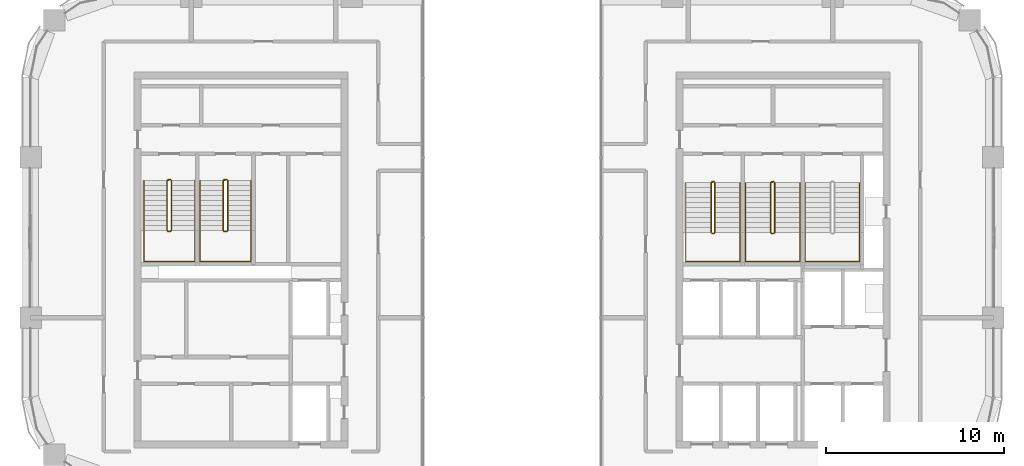
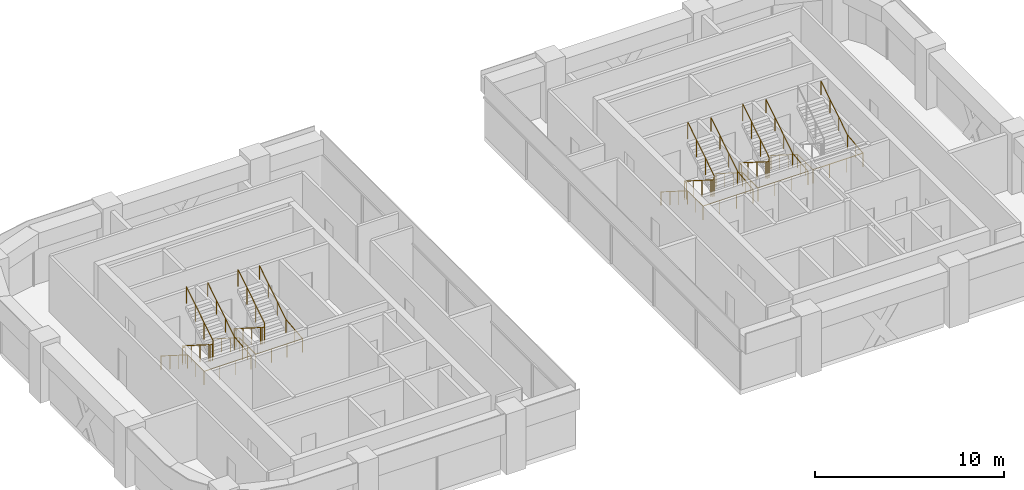
# One storey, part 15 of 16: 9 railings.
"""IFC4 building model written with IfcOpenShell, lengths in metres."""

from ifc_helpers import new_model, si_unit, direction, frame, origin, origin_2d, place, context, subcontext, project, spatial, circle, extrude, material, type_object, element, save


model = new_model("IFC4")

# Units and contexts
model_context = context("Model", 3, precision=1e-05, world=origin(), true_north=direction((0.0, 1.0)))
body_context = subcontext(model_context, "Body", "Model", "MODEL_VIEW")
ifc_project = project(units=[si_unit("LENGTHUNIT", "METRE"), si_unit("AREAUNIT", "SQUARE_METRE"), si_unit("VOLUMEUNIT", "CUBIC_METRE"), si_unit("PLANEANGLEUNIT", "RADIAN"), si_unit("MASSUNIT", "GRAM", prefix="KILO")], contexts=[model_context])

# Site, building, storey
site_placement = place(None, origin())
site = spatial("IfcSite", under=ifc_project, at=site_placement, CompositionType="ELEMENT")
building_placement = place(site_placement, origin())
building = spatial("IfcBuilding", under=site, at=building_placement, Name="Tessera Arch", CompositionType="ELEMENT")
storey_placement = place(building_placement, frame((0.0, 0.0, 218.89990234375)))
storey = spatial("IfcBuildingStorey", under=building, at=storey_placement, Name="L52", CompositionType="ELEMENT", Elevation=218.89990234375)

# Railings
ifc_material_1 = material(Name="Painted steel balustrade", Category="steel")
railing_type_1 = type_object("IfcRailingType", Name="Stair guard 1100", PredefinedType="GUARDRAIL", material=ifc_material_1)
railing_1_placement = place(storey_placement, frame((38.219970703125, 43.6298828125, 0.0)))
element("IfcRailing", 1, at=railing_1_placement, inside=storey, type_object=railing_type_1, Name="L52 S1a stair guard 1", PredefinedType="GUARDRAIL", context=body_context, shape_type="SweptSolid", body=[
    extrude(circle(Radius=0.02392578125, at=origin_2d()), frame((-0.00390625, 0.0, 1.076171875), z_axis=(1.0, 0.0, 0.0), x_axis=(0.0, 1.0, 0.0)), (0.0, 0.0, 1.0), 0.1181640625),
    extrude(circle(Radius=0.02392578125, at=origin_2d()), frame((0.11279296875, 0.000732421875, 1.0732421875), z_axis=(-0.655842288892, -0.203950955692, 0.72682521955), x_axis=(0.296948579431, -0.954893471113, 0.0)), (0.0, 0.0, 1.0), 0.252197265625),
    extrude(circle(Radius=0.02392578125, at=origin_2d()), frame((-0.050048828125, -0.04638671875, 1.25146484375), z_axis=(0.0, -0.844908973607, 0.534910110503), x_axis=(1.0, 0.0, 0.0)), (0.0, 0.0, 1.0), 3.322021484375),
    extrude(circle(Radius=0.02392578125, at=origin_2d()), frame((-0.052978515625, -2.846923828125, 3.0263671875), z_axis=(0.707106781187, -0.707106781187, 0.0), x_axis=(0.707106781187, 0.707106781187, 0.0)), (0.0, 0.0, 1.0), 0.078857421875),
    extrude(circle(Radius=0.02392578125, at=origin_2d()), frame((-0.00390625, -2.89990234375, 3.0263671875), z_axis=(1.0, 0.0, 0.0), x_axis=(0.0, 1.0, 0.0)), (0.0, 0.0, 1.0), 0.1181640625),
    extrude(circle(Radius=0.02392578125, at=origin_2d()), frame((0.109130859375, -2.90087890625, 3.0224609375), z_axis=(0.261041864531, 0.262321481514, 0.929001929653), x_axis=(-0.708833529934, 0.705375805398, 0.0)), (0.0, 0.0, 1.0), 0.19873046875),
    extrude(circle(Radius=0.02392578125, at=origin_2d()), frame((0.159912109375, -2.853271484375, 3.201416015625), z_axis=(0.0, 0.844908973607, 0.534910110503), x_axis=(-1.0, 0.0, 0.0)), (0.0, 0.0, 1.0), 3.322021484375),
    extrude(circle(Radius=0.02099609375, at=origin_2d()), origin(), (0.0, 0.0, 1.0), 1.06396484375),
    extrude(circle(Radius=0.02099609375, at=origin_2d()), frame((0.110107421875, 0.0, 0.0)), (0.0, 0.0, 1.0), 1.06396484375),
    extrude(circle(Radius=0.02099609375, at=origin_2d()), frame((-0.050048828125, -0.0498046875, 0.177490234375)), (0.0, 0.0, 1.0), 1.06396484375),
    extrude(circle(Radius=0.02099609375, at=origin_2d()), frame((-0.050048828125, -0.983154296875, 0.768310546875)), (0.0, 0.0, 1.0), 1.06396484375),
    extrude(circle(Radius=0.02099609375, at=origin_2d()), frame((-0.050048828125, -1.91650390625, 1.359375)), (0.0, 0.0, 1.0), 1.06396484375),
    extrude(circle(Radius=0.02099609375, at=origin_2d()), frame((-0.050048828125, -2.849853515625, 1.9501953125)), (0.0, 0.0, 1.0), 1.06396484375),
    extrude(circle(Radius=0.02099609375, at=origin_2d()), frame((0.0, -2.89990234375, 1.9501953125)), (0.0, 0.0, 1.0), 1.06396484375),
    extrude(circle(Radius=0.02099609375, at=origin_2d()), frame((0.110107421875, -2.89990234375, 1.9501953125)), (0.0, 0.0, 1.0), 1.06396484375),
    extrude(circle(Radius=0.02099609375, at=origin_2d()), frame((0.159912109375, -2.849853515625, 2.12744140625)), (0.0, 0.0, 1.0), 1.06396484375),
    extrude(circle(Radius=0.02099609375, at=origin_2d()), frame((0.159912109375, -1.91650390625, 2.71826171875)), (0.0, 0.0, 1.0), 1.06396484375),
    extrude(circle(Radius=0.02099609375, at=origin_2d()), frame((0.159912109375, -0.983154296875, 3.309326171875)), (0.0, 0.0, 1.0), 1.06396484375),
    extrude(circle(Radius=0.02099609375, at=origin_2d()), frame((0.159912109375, -0.0498046875, 3.900146484375)), (0.0, 0.0, 1.0), 1.06396484375),
])
railing_2_placement = place(storey_placement, frame((41.570068359375, 43.6298828125, 0.0)))
element("IfcRailing", 2, at=railing_2_placement, inside=storey, type_object=railing_type_1, Name="L52 S1b stair guard 1", PredefinedType="GUARDRAIL", context=body_context, shape_type="SweptSolid", body=[
    extrude(circle(Radius=0.02392578125, at=origin_2d()), frame((-0.00390625, 0.0, 1.076171875), z_axis=(1.0, 0.0, 0.0), x_axis=(0.0, 1.0, 0.0)), (0.0, 0.0, 1.0), 0.117919921875),
    extrude(circle(Radius=0.02392578125, at=origin_2d()), frame((0.112548828125, 0.000732421875, 1.0732421875), z_axis=(-0.655271994328, -0.204084712737, 0.727301892941), x_axis=(0.297361876254, -0.954764847777, 0.0)), (0.0, 0.0, 1.0), 0.251953125),
    extrude(circle(Radius=0.02392578125, at=origin_2d()), frame((-0.050048828125, -0.04638671875, 1.25146484375), z_axis=(0.0, -0.844908973607, 0.534910110503), x_axis=(1.0, 0.0, 0.0)), (0.0, 0.0, 1.0), 3.322021484375),
    extrude(circle(Radius=0.02392578125, at=origin_2d()), frame((-0.052978515625, -2.846923828125, 3.0263671875), z_axis=(0.707106781187, -0.707106781187, 0.0), x_axis=(0.707106781187, 0.707106781187, 0.0)), (0.0, 0.0, 1.0), 0.078857421875),
    extrude(circle(Radius=0.02392578125, at=origin_2d()), frame((-0.00390625, -2.89990234375, 3.0263671875), z_axis=(1.0, 0.0, 0.0), x_axis=(0.0, 1.0, 0.0)), (0.0, 0.0, 1.0), 0.117919921875),
    extrude(circle(Radius=0.02392578125, at=origin_2d()), frame((0.10888671875, -2.90087890625, 3.0224609375), z_axis=(0.262233686654, 0.262233686654, 0.928691007369), x_axis=(-0.707106781187, 0.707106781187, 0.0)), (0.0, 0.0, 1.0), 0.198974609375),
    extrude(circle(Radius=0.02392578125, at=origin_2d()), frame((0.159912109375, -2.853271484375, 3.201416015625), z_axis=(0.0, 0.844908973607, 0.534910110503), x_axis=(-1.0, 0.0, 0.0)), (0.0, 0.0, 1.0), 3.322021484375),
    extrude(circle(Radius=0.02099609375, at=origin_2d()), origin(), (0.0, 0.0, 1.0), 1.06396484375),
    extrude(circle(Radius=0.02099609375, at=origin_2d()), frame((0.10986328125, 0.0, 0.0)), (0.0, 0.0, 1.0), 1.06396484375),
    extrude(circle(Radius=0.02099609375, at=origin_2d()), frame((-0.050048828125, -0.0498046875, 0.177490234375)), (0.0, 0.0, 1.0), 1.06396484375),
    extrude(circle(Radius=0.02099609375, at=origin_2d()), frame((-0.050048828125, -0.983154296875, 0.768310546875)), (0.0, 0.0, 1.0), 1.06396484375),
    extrude(circle(Radius=0.02099609375, at=origin_2d()), frame((-0.050048828125, -1.91650390625, 1.359375)), (0.0, 0.0, 1.0), 1.06396484375),
    extrude(circle(Radius=0.02099609375, at=origin_2d()), frame((-0.050048828125, -2.849853515625, 1.9501953125)), (0.0, 0.0, 1.0), 1.06396484375),
    extrude(circle(Radius=0.02099609375, at=origin_2d()), frame((0.0, -2.89990234375, 1.9501953125)), (0.0, 0.0, 1.0), 1.06396484375),
    extrude(circle(Radius=0.02099609375, at=origin_2d()), frame((0.10986328125, -2.89990234375, 1.9501953125)), (0.0, 0.0, 1.0), 1.06396484375),
    extrude(circle(Radius=0.02099609375, at=origin_2d()), frame((0.159912109375, -2.849853515625, 2.12744140625)), (0.0, 0.0, 1.0), 1.06396484375),
    extrude(circle(Radius=0.02099609375, at=origin_2d()), frame((0.159912109375, -1.91650390625, 2.71826171875)), (0.0, 0.0, 1.0), 1.06396484375),
    extrude(circle(Radius=0.02099609375, at=origin_2d()), frame((0.159912109375, -0.983154296875, 3.309326171875)), (0.0, 0.0, 1.0), 1.06396484375),
    extrude(circle(Radius=0.02099609375, at=origin_2d()), frame((0.159912109375, -0.0498046875, 3.900146484375)), (0.0, 0.0, 1.0), 1.06396484375),
])
railing_3_placement = place(storey_placement, frame((7.699951171875, 43.75, 0.0)))
element("IfcRailing", 3, at=railing_3_placement, inside=storey, type_object=railing_type_1, Name="L52 S2a stair guard 1", PredefinedType="GUARDRAIL", context=body_context, shape_type="SweptSolid", body=[
    extrude(circle(Radius=0.02392578125, at=origin_2d()), frame((-0.00390625, 0.0, 1.076171875), z_axis=(1.0, 0.0, 0.0), x_axis=(0.0, 1.0, 0.0)), (0.0, 0.0, 1.0), 0.158203125),
    extrude(circle(Radius=0.02392578125, at=origin_2d()), frame((0.153076171875, 0.000732421875, 1.073486328125), z_axis=(-0.735506176693, -0.183876544173, 0.652089012751), x_axis=(0.242535625036, -0.970142500145, 0.0)), (0.0, 0.0, 1.0), 0.2802734375),
    extrude(circle(Radius=0.02392578125, at=origin_2d()), frame((-0.050048828125, -0.046630859375, 1.25146484375), z_axis=(0.0, -0.844908973607, 0.534910110503), x_axis=(1.0, 0.0, 0.0)), (0.0, 0.0, 1.0), 3.322021484375),
    extrude(circle(Radius=0.02392578125, at=origin_2d()), frame((-0.052978515625, -2.84716796875, 3.0263671875), z_axis=(0.708833529934, -0.705375805398, 0.0), x_axis=(0.705375805398, 0.708833529934, 0.0)), (0.0, 0.0, 1.0), 0.07861328125),
    extrude(circle(Radius=0.02392578125, at=origin_2d()), frame((-0.00390625, -2.89990234375, 3.0263671875), z_axis=(1.0, 0.0, 0.0), x_axis=(0.0, 1.0, 0.0)), (0.0, 0.0, 1.0), 0.158203125),
    extrude(circle(Radius=0.02392578125, at=origin_2d()), frame((0.149169921875, -2.90087890625, 3.0224609375), z_axis=(0.261129318932, 0.261129318932, 0.929313164433), x_axis=(-0.707106781187, 0.707106781187, 0.0)), (0.0, 0.0, 1.0), 0.19873046875),
    extrude(circle(Radius=0.02392578125, at=origin_2d()), frame((0.199951171875, -2.853515625, 3.201416015625), z_axis=(0.0, 0.844908973607, 0.534910110503), x_axis=(-1.0, 0.0, 0.0)), (0.0, 0.0, 1.0), 3.322021484375),
    extrude(circle(Radius=0.02099609375, at=origin_2d()), origin(), (0.0, 0.0, 1.0), 1.06396484375),
    extrude(circle(Radius=0.02099609375, at=origin_2d()), frame((0.150146484375, 0.0, 0.0)), (0.0, 0.0, 1.0), 1.06396484375),
    extrude(circle(Radius=0.02099609375, at=origin_2d()), frame((-0.050048828125, -0.050048828125, 0.177490234375)), (0.0, 0.0, 1.0), 1.06396484375),
    extrude(circle(Radius=0.02099609375, at=origin_2d()), frame((-0.050048828125, -0.9833984375, 0.768310546875)), (0.0, 0.0, 1.0), 1.06396484375),
    extrude(circle(Radius=0.02099609375, at=origin_2d()), frame((-0.050048828125, -1.916748046875, 1.359375)), (0.0, 0.0, 1.0), 1.06396484375),
    extrude(circle(Radius=0.02099609375, at=origin_2d()), frame((-0.050048828125, -2.85009765625, 1.9501953125)), (0.0, 0.0, 1.0), 1.06396484375),
    extrude(circle(Radius=0.02099609375, at=origin_2d()), frame((0.0, -2.89990234375, 1.9501953125)), (0.0, 0.0, 1.0), 1.06396484375),
    extrude(circle(Radius=0.02099609375, at=origin_2d()), frame((0.150146484375, -2.89990234375, 1.9501953125)), (0.0, 0.0, 1.0), 1.06396484375),
    extrude(circle(Radius=0.02099609375, at=origin_2d()), frame((0.199951171875, -2.85009765625, 2.12744140625)), (0.0, 0.0, 1.0), 1.06396484375),
    extrude(circle(Radius=0.02099609375, at=origin_2d()), frame((0.199951171875, -1.916748046875, 2.71826171875)), (0.0, 0.0, 1.0), 1.06396484375),
    extrude(circle(Radius=0.02099609375, at=origin_2d()), frame((0.199951171875, -0.9833984375, 3.309326171875)), (0.0, 0.0, 1.0), 1.06396484375),
    extrude(circle(Radius=0.02099609375, at=origin_2d()), frame((0.199951171875, -0.050048828125, 3.900146484375)), (0.0, 0.0, 1.0), 1.06396484375),
])
railing_4_placement = place(storey_placement, frame((10.85009765625, 43.75, 0.0)))
element("IfcRailing", 4, at=railing_4_placement, inside=storey, type_object=railing_type_1, Name="L52 S2b stair guard 1", PredefinedType="GUARDRAIL", context=body_context, shape_type="SweptSolid", body=[
    extrude(circle(Radius=0.02392578125, at=origin_2d()), frame((-0.00390625, 0.0, 1.076171875), z_axis=(1.0, 0.0, 0.0), x_axis=(0.0, 1.0, 0.0)), (0.0, 0.0, 1.0), 0.157958984375),
    extrude(circle(Radius=0.02392578125, at=origin_2d()), frame((0.15283203125, 0.000732421875, 1.073486328125), z_axis=(-0.735094037398, -0.183997897029, 0.652519371414), x_axis=(0.242814311512, -0.970072785993, 0.0)), (0.0, 0.0, 1.0), 0.280029296875),
    extrude(circle(Radius=0.02392578125, at=origin_2d()), frame((-0.050048828125, -0.046630859375, 1.25146484375), z_axis=(0.0, -0.844908973607, 0.534910110503), x_axis=(1.0, 0.0, 0.0)), (0.0, 0.0, 1.0), 3.322021484375),
    extrude(circle(Radius=0.02392578125, at=origin_2d()), frame((-0.052978515625, -2.84716796875, 3.0263671875), z_axis=(0.708833529934, -0.705375805398, 0.0), x_axis=(0.705375805398, 0.708833529934, 0.0)), (0.0, 0.0, 1.0), 0.07861328125),
    extrude(circle(Radius=0.02392578125, at=origin_2d()), frame((-0.00390625, -2.89990234375, 3.0263671875), z_axis=(1.0, 0.0, 0.0), x_axis=(0.0, 1.0, 0.0)), (0.0, 0.0, 1.0), 0.157958984375),
    extrude(circle(Radius=0.02392578125, at=origin_2d()), frame((0.14892578125, -2.90087890625, 3.0224609375), z_axis=(0.262321481514, 0.261041864531, 0.929001929653), x_axis=(-0.705375805398, 0.708833529934, 0.0)), (0.0, 0.0, 1.0), 0.19873046875),
    extrude(circle(Radius=0.02392578125, at=origin_2d()), frame((0.199951171875, -2.853515625, 3.201416015625), z_axis=(0.0, 0.844908973607, 0.534910110503), x_axis=(-1.0, 0.0, 0.0)), (0.0, 0.0, 1.0), 3.322021484375),
    extrude(circle(Radius=0.02099609375, at=origin_2d()), origin(), (0.0, 0.0, 1.0), 1.06396484375),
    extrude(circle(Radius=0.02099609375, at=origin_2d()), frame((0.14990234375, 0.0, 0.0)), (0.0, 0.0, 1.0), 1.06396484375),
    extrude(circle(Radius=0.02099609375, at=origin_2d()), frame((-0.050048828125, -0.050048828125, 0.177490234375)), (0.0, 0.0, 1.0), 1.06396484375),
    extrude(circle(Radius=0.02099609375, at=origin_2d()), frame((-0.050048828125, -0.9833984375, 0.768310546875)), (0.0, 0.0, 1.0), 1.06396484375),
    extrude(circle(Radius=0.02099609375, at=origin_2d()), frame((-0.050048828125, -1.916748046875, 1.359375)), (0.0, 0.0, 1.0), 1.06396484375),
    extrude(circle(Radius=0.02099609375, at=origin_2d()), frame((-0.050048828125, -2.85009765625, 1.9501953125)), (0.0, 0.0, 1.0), 1.06396484375),
    extrude(circle(Radius=0.02099609375, at=origin_2d()), frame((0.0, -2.89990234375, 1.9501953125)), (0.0, 0.0, 1.0), 1.06396484375),
    extrude(circle(Radius=0.02099609375, at=origin_2d()), frame((0.14990234375, -2.89990234375, 1.9501953125)), (0.0, 0.0, 1.0), 1.06396484375),
    extrude(circle(Radius=0.02099609375, at=origin_2d()), frame((0.199951171875, -2.85009765625, 2.12744140625)), (0.0, 0.0, 1.0), 1.06396484375),
    extrude(circle(Radius=0.02099609375, at=origin_2d()), frame((0.199951171875, -1.916748046875, 2.71826171875)), (0.0, 0.0, 1.0), 1.06396484375),
    extrude(circle(Radius=0.02099609375, at=origin_2d()), frame((0.199951171875, -0.9833984375, 3.309326171875)), (0.0, 0.0, 1.0), 1.06396484375),
    extrude(circle(Radius=0.02099609375, at=origin_2d()), frame((0.199951171875, -0.050048828125, 3.900146484375)), (0.0, 0.0, 1.0), 1.06396484375),
])
ifc_material_2 = material(Name="Painted steel handrail", Category="steel")
railing_type_2 = type_object("IfcRailingType", Name="Stair handrail 900", PredefinedType="HANDRAIL", material=ifc_material_2)
railing_5_placement = place(storey_placement, frame((36.75, 43.580078125, 0.177490234375)))
element("IfcRailing", 5, at=railing_5_placement, inside=storey, type_object=railing_type_2, Name="L52 S1a stair handrail", PredefinedType="HANDRAIL", context=body_context, shape_type="SweptSolid", body=[
    extrude(circle(Radius=0.02392578125, at=origin_2d()), frame((0.0, 0.00341796875, 0.873779296875), z_axis=(0.0, -0.844908973607, 0.534910110503), x_axis=(1.0, 0.0, 0.0)), (0.0, 0.0, 1.0), 3.322021484375),
    extrude(circle(Radius=0.02392578125, at=origin_2d()), frame((0.0, -2.796142578125, 2.6484375), z_axis=(0.0, -1.0, 0.0), x_axis=(1.0, 0.0, 0.0)), (0.0, 0.0, 1.0), 1.63818359375),
    extrude(circle(Radius=0.02392578125, at=origin_2d()), frame((-0.00390625, -4.43017578125, 2.6484375), z_axis=(1.0, 0.0, 0.0), x_axis=(0.0, 1.0, 0.0)), (0.0, 0.0, 1.0), 3.05810546875),
    extrude(circle(Radius=0.02392578125, at=origin_2d()), frame((3.050048828125, -4.43408203125, 2.648193359375), z_axis=(0.0, 0.994140637614, 0.108094369164), x_axis=(-1.0, 0.0, 0.0)), (0.0, 0.0, 1.0), 1.647705078125),
    extrude(circle(Radius=0.02392578125, at=origin_2d()), frame((3.050048828125, -2.803466796875, 2.82373046875), z_axis=(0.0, 0.844908973607, 0.534910110503), x_axis=(-1.0, 0.0, 0.0)), (0.0, 0.0, 1.0), 3.322021484375),
    extrude(circle(Radius=0.02099609375, at=origin_2d()), origin(), (0.0, 0.0, 1.0), 0.86376953125),
    extrude(circle(Radius=0.02099609375, at=origin_2d()), frame((0.0, -0.933349609375, 0.5908203125)), (0.0, 0.0, 1.0), 0.86376953125),
    extrude(circle(Radius=0.02099609375, at=origin_2d()), frame((0.0, -1.86669921875, 1.181884765625)), (0.0, 0.0, 1.0), 0.86376953125),
    extrude(circle(Radius=0.02099609375, at=origin_2d()), frame((0.0, -2.800048828125, 1.772705078125)), (0.0, 0.0, 1.0), 0.86376953125),
    extrude(circle(Radius=0.02099609375, at=origin_2d()), frame((0.0, -3.615234375, 1.772705078125)), (0.0, 0.0, 1.0), 0.86376953125),
    extrude(circle(Radius=0.02099609375, at=origin_2d()), frame((0.0, -4.43017578125, 1.772705078125)), (0.0, 0.0, 1.0), 0.86376953125),
    extrude(circle(Radius=0.02099609375, at=origin_2d()), frame((1.0166015625, -4.43017578125, 1.772705078125)), (0.0, 0.0, 1.0), 0.86376953125),
    extrude(circle(Radius=0.02099609375, at=origin_2d()), frame((2.033447265625, -4.43017578125, 1.772705078125)), (0.0, 0.0, 1.0), 0.86376953125),
    extrude(circle(Radius=0.02099609375, at=origin_2d()), frame((3.050048828125, -4.43017578125, 1.772705078125)), (0.0, 0.0, 1.0), 0.86376953125),
    extrude(circle(Radius=0.02099609375, at=origin_2d()), frame((3.050048828125, -3.615234375, 1.861328125)), (0.0, 0.0, 1.0), 0.86376953125),
    extrude(circle(Radius=0.02099609375, at=origin_2d()), frame((3.050048828125, -2.800048828125, 1.949951171875)), (0.0, 0.0, 1.0), 0.86376953125),
    extrude(circle(Radius=0.02099609375, at=origin_2d()), frame((3.050048828125, -1.86669921875, 2.540771484375)), (0.0, 0.0, 1.0), 0.86376953125),
    extrude(circle(Radius=0.02099609375, at=origin_2d()), frame((3.050048828125, -0.933349609375, 3.1318359375)), (0.0, 0.0, 1.0), 0.86376953125),
    extrude(circle(Radius=0.02099609375, at=origin_2d()), frame((3.050048828125, 0.0, 3.72265625)), (0.0, 0.0, 1.0), 0.86376953125),
])
railing_6_placement = place(storey_placement, frame((40.10009765625, 43.580078125, 0.177490234375)))
element("IfcRailing", 6, at=railing_6_placement, inside=storey, type_object=railing_type_2, Name="L52 S1b stair handrail", PredefinedType="HANDRAIL", context=body_context, shape_type="SweptSolid", body=[
    extrude(circle(Radius=0.02392578125, at=origin_2d()), frame((0.0, 0.00341796875, 0.873779296875), z_axis=(0.0, -0.844908973607, 0.534910110503), x_axis=(1.0, 0.0, 0.0)), (0.0, 0.0, 1.0), 3.322021484375),
    extrude(circle(Radius=0.02392578125, at=origin_2d()), frame((0.0, -2.796142578125, 2.6484375), z_axis=(0.0, -1.0, 0.0), x_axis=(1.0, 0.0, 0.0)), (0.0, 0.0, 1.0), 1.63818359375),
    extrude(circle(Radius=0.02392578125, at=origin_2d()), frame((-0.00390625, -4.43017578125, 2.6484375), z_axis=(1.0, 0.0, 0.0), x_axis=(0.0, 1.0, 0.0)), (0.0, 0.0, 1.0), 3.057861328125),
    extrude(circle(Radius=0.02392578125, at=origin_2d()), frame((3.0498046875, -4.43408203125, 2.648193359375), z_axis=(0.0, 0.994140637614, 0.108094369164), x_axis=(-1.0, 0.0, 0.0)), (0.0, 0.0, 1.0), 1.647705078125),
    extrude(circle(Radius=0.02392578125, at=origin_2d()), frame((3.0498046875, -2.803466796875, 2.82373046875), z_axis=(0.0, 0.844908973607, 0.534910110503), x_axis=(-1.0, 0.0, 0.0)), (0.0, 0.0, 1.0), 3.322021484375),
    extrude(circle(Radius=0.02099609375, at=origin_2d()), origin(), (0.0, 0.0, 1.0), 0.86376953125),
    extrude(circle(Radius=0.02099609375, at=origin_2d()), frame((0.0, -0.933349609375, 0.5908203125)), (0.0, 0.0, 1.0), 0.86376953125),
    extrude(circle(Radius=0.02099609375, at=origin_2d()), frame((0.0, -1.86669921875, 1.181884765625)), (0.0, 0.0, 1.0), 0.86376953125),
    extrude(circle(Radius=0.02099609375, at=origin_2d()), frame((0.0, -2.800048828125, 1.772705078125)), (0.0, 0.0, 1.0), 0.86376953125),
    extrude(circle(Radius=0.02099609375, at=origin_2d()), frame((0.0, -3.615234375, 1.772705078125)), (0.0, 0.0, 1.0), 0.86376953125),
    extrude(circle(Radius=0.02099609375, at=origin_2d()), frame((0.0, -4.43017578125, 1.772705078125)), (0.0, 0.0, 1.0), 0.86376953125),
    extrude(circle(Radius=0.02099609375, at=origin_2d()), frame((1.0166015625, -4.43017578125, 1.772705078125)), (0.0, 0.0, 1.0), 0.86376953125),
    extrude(circle(Radius=0.02099609375, at=origin_2d()), frame((2.033203125, -4.43017578125, 1.772705078125)), (0.0, 0.0, 1.0), 0.86376953125),
    extrude(circle(Radius=0.02099609375, at=origin_2d()), frame((3.0498046875, -4.43017578125, 1.772705078125)), (0.0, 0.0, 1.0), 0.86376953125),
    extrude(circle(Radius=0.02099609375, at=origin_2d()), frame((3.0498046875, -3.615234375, 1.861328125)), (0.0, 0.0, 1.0), 0.86376953125),
    extrude(circle(Radius=0.02099609375, at=origin_2d()), frame((3.0498046875, -2.800048828125, 1.949951171875)), (0.0, 0.0, 1.0), 0.86376953125),
    extrude(circle(Radius=0.02099609375, at=origin_2d()), frame((3.0498046875, -1.86669921875, 2.540771484375)), (0.0, 0.0, 1.0), 0.86376953125),
    extrude(circle(Radius=0.02099609375, at=origin_2d()), frame((3.0498046875, -0.933349609375, 3.1318359375)), (0.0, 0.0, 1.0), 0.86376953125),
    extrude(circle(Radius=0.02099609375, at=origin_2d()), frame((3.0498046875, 0.0, 3.72265625)), (0.0, 0.0, 1.0), 0.86376953125),
])
railing_7_placement = place(storey_placement, frame((43.449951171875, 43.580078125, 0.177490234375)))
element("IfcRailing", 7, at=railing_7_placement, inside=storey, type_object=railing_type_2, Name="L52 S1c stair handrail", PredefinedType="HANDRAIL", context=body_context, shape_type="SweptSolid", body=[
    extrude(circle(Radius=0.02392578125, at=origin_2d()), frame((0.0, 0.00341796875, 0.873779296875), z_axis=(0.0, -0.844908973607, 0.534910110503), x_axis=(1.0, 0.0, 0.0)), (0.0, 0.0, 1.0), 3.322021484375),
    extrude(circle(Radius=0.02392578125, at=origin_2d()), frame((0.0, -2.796142578125, 2.6484375), z_axis=(0.0, -1.0, 0.0), x_axis=(1.0, 0.0, 0.0)), (0.0, 0.0, 1.0), 1.63818359375),
    extrude(circle(Radius=0.02392578125, at=origin_2d()), frame((-0.00390625, -4.43017578125, 2.6484375), z_axis=(1.0, 0.0, 0.0), x_axis=(0.0, 1.0, 0.0)), (0.0, 0.0, 1.0), 3.05810546875),
    extrude(circle(Radius=0.02392578125, at=origin_2d()), frame((3.050048828125, -4.43408203125, 2.648193359375), z_axis=(0.0, 0.994140637614, 0.108094369164), x_axis=(-1.0, 0.0, 0.0)), (0.0, 0.0, 1.0), 1.647705078125),
    extrude(circle(Radius=0.02392578125, at=origin_2d()), frame((3.050048828125, -2.803466796875, 2.82373046875), z_axis=(0.0, 0.844908973607, 0.534910110503), x_axis=(-1.0, 0.0, 0.0)), (0.0, 0.0, 1.0), 3.322021484375),
    extrude(circle(Radius=0.02099609375, at=origin_2d()), origin(), (0.0, 0.0, 1.0), 0.86376953125),
    extrude(circle(Radius=0.02099609375, at=origin_2d()), frame((0.0, -0.933349609375, 0.5908203125)), (0.0, 0.0, 1.0), 0.86376953125),
    extrude(circle(Radius=0.02099609375, at=origin_2d()), frame((0.0, -1.86669921875, 1.181884765625)), (0.0, 0.0, 1.0), 0.86376953125),
    extrude(circle(Radius=0.02099609375, at=origin_2d()), frame((0.0, -2.800048828125, 1.772705078125)), (0.0, 0.0, 1.0), 0.86376953125),
    extrude(circle(Radius=0.02099609375, at=origin_2d()), frame((0.0, -3.615234375, 1.772705078125)), (0.0, 0.0, 1.0), 0.86376953125),
    extrude(circle(Radius=0.02099609375, at=origin_2d()), frame((0.0, -4.43017578125, 1.772705078125)), (0.0, 0.0, 1.0), 0.86376953125),
    extrude(circle(Radius=0.02099609375, at=origin_2d()), frame((1.0166015625, -4.43017578125, 1.772705078125)), (0.0, 0.0, 1.0), 0.86376953125),
    extrude(circle(Radius=0.02099609375, at=origin_2d()), frame((2.033447265625, -4.43017578125, 1.772705078125)), (0.0, 0.0, 1.0), 0.86376953125),
    extrude(circle(Radius=0.02099609375, at=origin_2d()), frame((3.050048828125, -4.43017578125, 1.772705078125)), (0.0, 0.0, 1.0), 0.86376953125),
    extrude(circle(Radius=0.02099609375, at=origin_2d()), frame((3.050048828125, -3.615234375, 1.861328125)), (0.0, 0.0, 1.0), 0.86376953125),
    extrude(circle(Radius=0.02099609375, at=origin_2d()), frame((3.050048828125, -2.800048828125, 1.949951171875)), (0.0, 0.0, 1.0), 0.86376953125),
    extrude(circle(Radius=0.02099609375, at=origin_2d()), frame((3.050048828125, -1.86669921875, 2.540771484375)), (0.0, 0.0, 1.0), 0.86376953125),
    extrude(circle(Radius=0.02099609375, at=origin_2d()), frame((3.050048828125, -0.933349609375, 3.1318359375)), (0.0, 0.0, 1.0), 0.86376953125),
    extrude(circle(Radius=0.02099609375, at=origin_2d()), frame((3.050048828125, 0.0, 3.72265625)), (0.0, 0.0, 1.0), 0.86376953125),
])
railing_8_placement = place(storey_placement, frame((6.35009765625, 43.699951171875, 0.177490234375)))
element("IfcRailing", 8, at=railing_8_placement, inside=storey, type_object=railing_type_2, Name="L52 S2a stair handrail", PredefinedType="HANDRAIL", context=body_context, shape_type="SweptSolid", body=[
    extrude(circle(Radius=0.02392578125, at=origin_2d()), frame((0.0, 0.00341796875, 0.873779296875), z_axis=(0.0, -0.844908973607, 0.534910110503), x_axis=(1.0, 0.0, 0.0)), (0.0, 0.0, 1.0), 3.322021484375),
    extrude(circle(Radius=0.02392578125, at=origin_2d()), frame((0.0, -2.796142578125, 2.6484375), z_axis=(0.0, -1.0, 0.0), x_axis=(1.0, 0.0, 0.0)), (0.0, 0.0, 1.0), 1.758056640625),
    extrude(circle(Radius=0.02392578125, at=origin_2d()), frame((-0.00390625, -4.550048828125, 2.6484375), z_axis=(1.0, 0.0, 0.0), x_axis=(0.0, 1.0, 0.0)), (0.0, 0.0, 1.0), 2.85791015625),
    extrude(circle(Radius=0.02392578125, at=origin_2d()), frame((2.849853515625, -4.553955078125, 2.648193359375), z_axis=(0.0, 0.994909956378, 0.100767944801), x_axis=(-1.0, 0.0, 0.0)), (0.0, 0.0, 1.0), 1.766845703125),
    extrude(circle(Radius=0.02392578125, at=origin_2d()), frame((2.849853515625, -2.803466796875, 2.82373046875), z_axis=(0.0, 0.844908973607, 0.534910110503), x_axis=(-1.0, 0.0, 0.0)), (0.0, 0.0, 1.0), 3.322021484375),
    extrude(circle(Radius=0.02099609375, at=origin_2d()), origin(), (0.0, 0.0, 1.0), 0.86376953125),
    extrude(circle(Radius=0.02099609375, at=origin_2d()), frame((0.0, -0.933349609375, 0.5908203125)), (0.0, 0.0, 1.0), 0.86376953125),
    extrude(circle(Radius=0.02099609375, at=origin_2d()), frame((0.0, -1.86669921875, 1.181884765625)), (0.0, 0.0, 1.0), 0.86376953125),
    extrude(circle(Radius=0.02099609375, at=origin_2d()), frame((0.0, -2.800048828125, 1.772705078125)), (0.0, 0.0, 1.0), 0.86376953125),
    extrude(circle(Radius=0.02099609375, at=origin_2d()), frame((0.0, -3.675048828125, 1.772705078125)), (0.0, 0.0, 1.0), 0.86376953125),
    extrude(circle(Radius=0.02099609375, at=origin_2d()), frame((0.0, -4.550048828125, 1.772705078125)), (0.0, 0.0, 1.0), 0.86376953125),
    extrude(circle(Radius=0.02099609375, at=origin_2d()), frame((0.949951171875, -4.550048828125, 1.772705078125)), (0.0, 0.0, 1.0), 0.86376953125),
    extrude(circle(Radius=0.02099609375, at=origin_2d()), frame((1.89990234375, -4.550048828125, 1.772705078125)), (0.0, 0.0, 1.0), 0.86376953125),
    extrude(circle(Radius=0.02099609375, at=origin_2d()), frame((2.849853515625, -4.550048828125, 1.772705078125)), (0.0, 0.0, 1.0), 0.86376953125),
    extrude(circle(Radius=0.02099609375, at=origin_2d()), frame((2.849853515625, -3.675048828125, 1.861328125)), (0.0, 0.0, 1.0), 0.86376953125),
    extrude(circle(Radius=0.02099609375, at=origin_2d()), frame((2.849853515625, -2.800048828125, 1.949951171875)), (0.0, 0.0, 1.0), 0.86376953125),
    extrude(circle(Radius=0.02099609375, at=origin_2d()), frame((2.849853515625, -1.86669921875, 2.540771484375)), (0.0, 0.0, 1.0), 0.86376953125),
    extrude(circle(Radius=0.02099609375, at=origin_2d()), frame((2.849853515625, -0.933349609375, 3.1318359375)), (0.0, 0.0, 1.0), 0.86376953125),
    extrude(circle(Radius=0.02099609375, at=origin_2d()), frame((2.849853515625, 0.0, 3.72265625)), (0.0, 0.0, 1.0), 0.86376953125),
])
railing_9_placement = place(storey_placement, frame((9.5, 43.699951171875, 0.177490234375)))
element("IfcRailing", 9, at=railing_9_placement, inside=storey, type_object=railing_type_2, Name="L52 S2b stair handrail", PredefinedType="HANDRAIL", context=body_context, shape_type="SweptSolid", body=[
    extrude(circle(Radius=0.02392578125, at=origin_2d()), frame((0.0, 0.00341796875, 0.873779296875), z_axis=(0.0, -0.844908973607, 0.534910110503), x_axis=(1.0, 0.0, 0.0)), (0.0, 0.0, 1.0), 3.322021484375),
    extrude(circle(Radius=0.02392578125, at=origin_2d()), frame((0.0, -2.796142578125, 2.6484375), z_axis=(0.0, -1.0, 0.0), x_axis=(1.0, 0.0, 0.0)), (0.0, 0.0, 1.0), 1.758056640625),
    extrude(circle(Radius=0.02392578125, at=origin_2d()), frame((-0.00390625, -4.550048828125, 2.6484375), z_axis=(1.0, 0.0, 0.0), x_axis=(0.0, 1.0, 0.0)), (0.0, 0.0, 1.0), 2.858154296875),
    extrude(circle(Radius=0.02392578125, at=origin_2d()), frame((2.85009765625, -4.553955078125, 2.648193359375), z_axis=(0.0, 0.994909956378, 0.100767944801), x_axis=(-1.0, 0.0, 0.0)), (0.0, 0.0, 1.0), 1.766845703125),
    extrude(circle(Radius=0.02392578125, at=origin_2d()), frame((2.85009765625, -2.803466796875, 2.82373046875), z_axis=(0.0, 0.844908973607, 0.534910110503), x_axis=(-1.0, 0.0, 0.0)), (0.0, 0.0, 1.0), 3.322021484375),
    extrude(circle(Radius=0.02099609375, at=origin_2d()), origin(), (0.0, 0.0, 1.0), 0.86376953125),
    extrude(circle(Radius=0.02099609375, at=origin_2d()), frame((0.0, -0.933349609375, 0.5908203125)), (0.0, 0.0, 1.0), 0.86376953125),
    extrude(circle(Radius=0.02099609375, at=origin_2d()), frame((0.0, -1.86669921875, 1.181884765625)), (0.0, 0.0, 1.0), 0.86376953125),
    extrude(circle(Radius=0.02099609375, at=origin_2d()), frame((0.0, -2.800048828125, 1.772705078125)), (0.0, 0.0, 1.0), 0.86376953125),
    extrude(circle(Radius=0.02099609375, at=origin_2d()), frame((0.0, -3.675048828125, 1.772705078125)), (0.0, 0.0, 1.0), 0.86376953125),
    extrude(circle(Radius=0.02099609375, at=origin_2d()), frame((0.0, -4.550048828125, 1.772705078125)), (0.0, 0.0, 1.0), 0.86376953125),
    extrude(circle(Radius=0.02099609375, at=origin_2d()), frame((0.949951171875, -4.550048828125, 1.772705078125)), (0.0, 0.0, 1.0), 0.86376953125),
    extrude(circle(Radius=0.02099609375, at=origin_2d()), frame((1.900146484375, -4.550048828125, 1.772705078125)), (0.0, 0.0, 1.0), 0.86376953125),
    extrude(circle(Radius=0.02099609375, at=origin_2d()), frame((2.85009765625, -4.550048828125, 1.772705078125)), (0.0, 0.0, 1.0), 0.86376953125),
    extrude(circle(Radius=0.02099609375, at=origin_2d()), frame((2.85009765625, -3.675048828125, 1.861328125)), (0.0, 0.0, 1.0), 0.86376953125),
    extrude(circle(Radius=0.02099609375, at=origin_2d()), frame((2.85009765625, -2.800048828125, 1.949951171875)), (0.0, 0.0, 1.0), 0.86376953125),
    extrude(circle(Radius=0.02099609375, at=origin_2d()), frame((2.85009765625, -1.86669921875, 2.540771484375)), (0.0, 0.0, 1.0), 0.86376953125),
    extrude(circle(Radius=0.02099609375, at=origin_2d()), frame((2.85009765625, -0.933349609375, 3.1318359375)), (0.0, 0.0, 1.0), 0.86376953125),
    extrude(circle(Radius=0.02099609375, at=origin_2d()), frame((2.85009765625, 0.0, 3.72265625)), (0.0, 0.0, 1.0), 0.86376953125),
])

save(model, "model.ifc")
